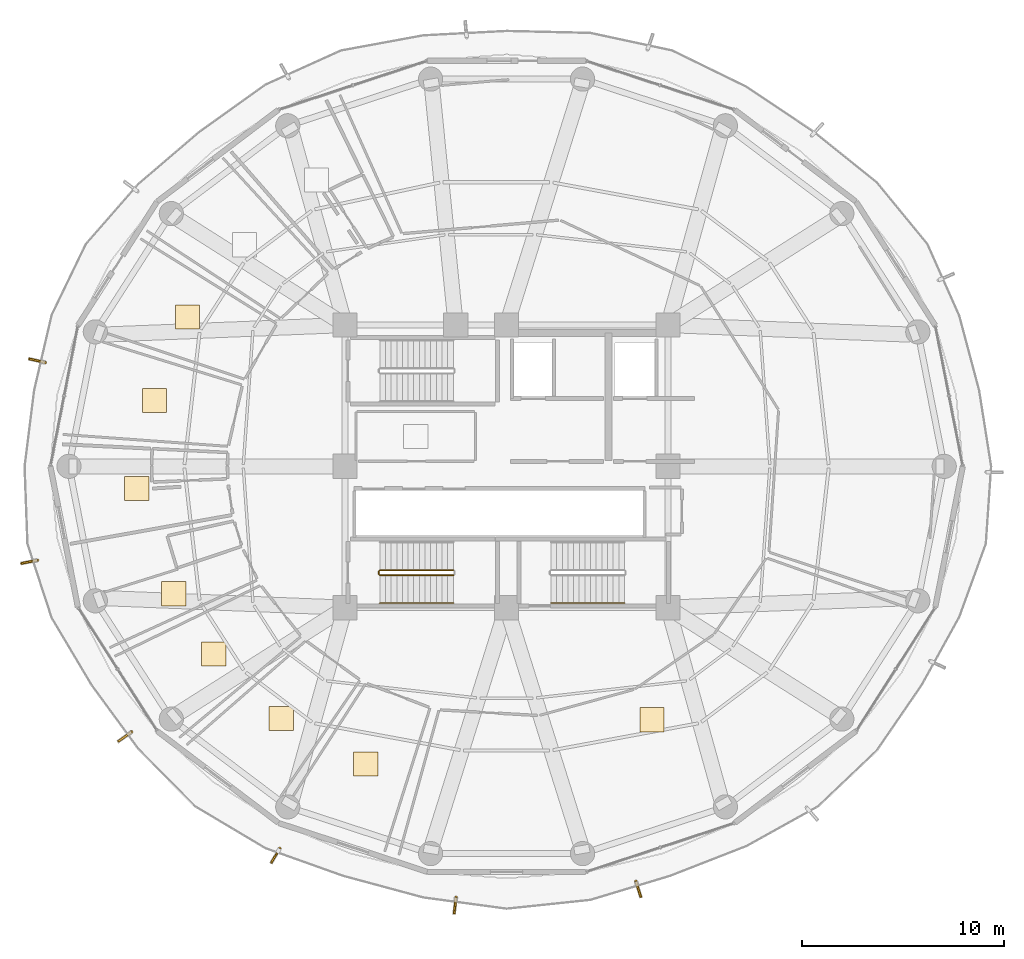
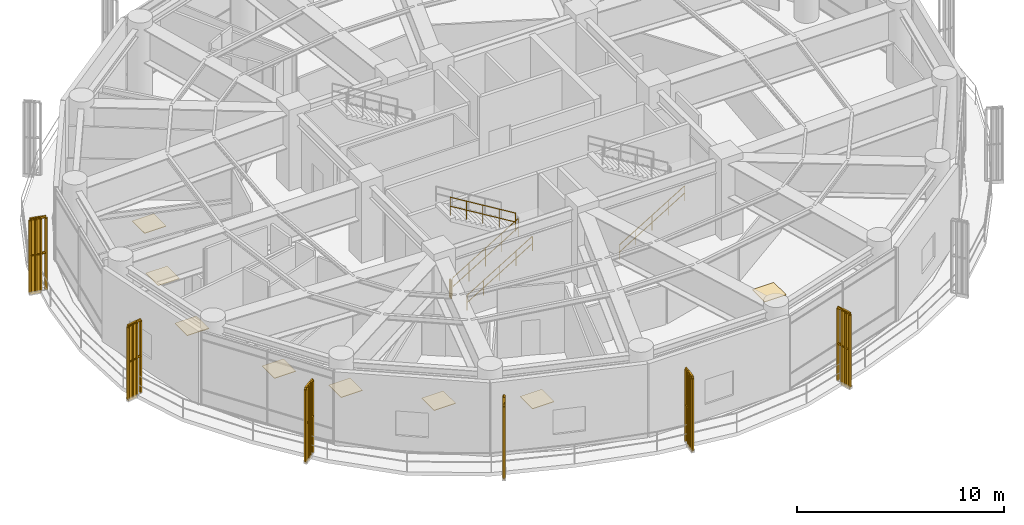
# One storey, part 25 of 28: 11 railings, 8 coverings, 6 shading devices.
"""IFC4 building model written with IfcOpenShell, lengths in metres."""

from ifc_helpers import new_model, si_unit, direction, frame, origin, origin_2d, place, context, subcontext, project, spatial, polyline, rectangle, outline, extrude, source, transform, mapped, material, layer, layer_set, type_object, element, save


model = new_model("IFC4")

# Units and contexts
model_context = context("Model", 3, precision=1e-05, world=origin(), true_north=direction((0.0, 1.0)))
body_context = subcontext(model_context, "Body", "Model", "MODEL_VIEW")
ifc_project = project(units=[si_unit("LENGTHUNIT", "METRE"), si_unit("AREAUNIT", "SQUARE_METRE"), si_unit("VOLUMEUNIT", "CUBIC_METRE"), si_unit("PLANEANGLEUNIT", "RADIAN"), si_unit("MASSUNIT", "GRAM", prefix="KILO")], contexts=[model_context])

# Site, building, storey
site_placement = place(None, origin())
site = spatial("IfcSite", under=ifc_project, at=site_placement, CompositionType="ELEMENT")
building_placement = place(site_placement, origin())
building = spatial("IfcBuilding", under=site, at=building_placement, Name="Kelanora Arch Commons", CompositionType="ELEMENT")
storey_placement = place(building_placement, frame((0.0, 0.0, 184.35009765625)))
storey = spatial("IfcBuildingStorey", under=building, at=storey_placement, Name="L47", CompositionType="ELEMENT", Elevation=184.35009765625)

# Railings
ifc_material_1 = material(Name="Anodised bronze vertical shading fin rib assembly")
railing_type_1 = type_object("IfcRailingType", Name="RAIL-FIN-BRZ", PredefinedType="BALUSTRADE", material=ifc_material_1)
railing_1_placement = place(storey_placement, frame((51.14111328125, 63.14599609375, -0.02001953125)))
element("IfcRailing", 1, at=railing_1_placement, inside=storey, type_object=railing_type_1, Name="Sweeping Bronze Vertical Fin Blade L47-08", PredefinedType="BALUSTRADE", context=body_context, shape_type="SweptSolid", body=[
    extrude(outline(polyline([(0.06982421875, 0.0), (0.034912109375, 0.060546875), (-0.034912109375, 0.060546875), (-0.06982421875, 0.0), (-0.034912109375, -0.060546875), (0.034912109375, -0.060546875), (0.06982421875, 0.0)])), frame((0.0, 0.0, 4.2900390625), z_axis=(-0.97555088813, 0.219773666913, 0.0), x_axis=(-0.219773666913, -0.97555088813, 0.0)), (0.0, 0.0, 1.0), 0.7998046875),
    extrude(outline(polyline([(0.06982421875, 0.0), (0.034912109375, 0.060546875), (-0.034912109375, 0.060546875), (-0.06982421875, 0.0), (-0.034912109375, -0.060546875), (0.034912109375, -0.060546875), (0.06982421875, 0.0)])), frame((0.0, 0.0, 2.18017578125), z_axis=(-0.97555088813, 0.219773666913, 0.0), x_axis=(-0.219773666913, -0.97555088813, 0.0)), (0.0, 0.0, 1.0), 0.7998046875),
    extrude(outline(polyline([(0.080078125, 0.0), (0.0400390625, 0.0693359375), (-0.0400390625, 0.0693359375), (-0.080078125, 0.0), (-0.0400390625, -0.0693359375), (0.0400390625, -0.0693359375), (0.080078125, 0.0)])), origin(), (0.0, 0.0, 1.0), 4.22021484375),
    extrude(outline(polyline([(0.080078125, 0.0), (0.0400390625, 0.0693359375), (-0.0400390625, 0.0693359375), (-0.080078125, 0.0), (-0.0400390625, -0.0693359375), (0.0400390625, -0.0693359375), (0.080078125, 0.0)])), frame((-0.260009765625, 0.05859375, 0.0)), (0.0, 0.0, 1.0), 4.22021484375),
    extrude(outline(polyline([(0.080078125, 0.0), (0.0400390625, 0.0693359375), (-0.0400390625, 0.0693359375), (-0.080078125, 0.0), (-0.0400390625, -0.0693359375), (0.0400390625, -0.0693359375), (0.080078125, 0.0)])), frame((-0.520263671875, 0.1171875, 0.0)), (0.0, 0.0, 1.0), 4.22021484375),
    extrude(outline(polyline([(0.080078125, 0.0), (0.0400390625, 0.0693359375), (-0.0400390625, 0.0693359375), (-0.080078125, 0.0), (-0.0400390625, -0.0693359375), (0.0400390625, -0.0693359375), (0.080078125, 0.0)])), frame((-0.7802734375, 0.17578125, 0.0)), (0.0, 0.0, 1.0), 4.22021484375),
])
railing_2_placement = place(storey_placement, frame((50.759521484375, 53.3505859375, -0.02001953125)))
element("IfcRailing", 2, at=railing_2_placement, inside=storey, type_object=railing_type_1, Name="Sweeping Bronze Vertical Fin Blade L47-09", PredefinedType="BALUSTRADE", context=body_context, shape_type="SweptSolid", body=[
    extrude(outline(polyline([(0.06982421875, 0.0), (0.034912109375, 0.060546875), (-0.034912109375, 0.060546875), (-0.06982421875, 0.0), (-0.034912109375, -0.060546875), (0.034912109375, -0.060546875), (0.06982421875, 0.0)])), frame((0.0, 0.0, 4.2900390625), z_axis=(-0.980557192949, -0.196233512314, 0.0), x_axis=(0.196233512314, -0.980557192949, 0.0)), (0.0, 0.0, 1.0), 0.800048828125),
    extrude(outline(polyline([(0.06982421875, 0.0), (0.034912109375, 0.060546875), (-0.034912109375, 0.060546875), (-0.06982421875, 0.0), (-0.034912109375, -0.060546875), (0.034912109375, -0.060546875), (0.06982421875, 0.0)])), frame((0.0, 0.0, 2.18017578125), z_axis=(-0.980557192949, -0.196233512314, 0.0), x_axis=(0.196233512314, -0.980557192949, 0.0)), (0.0, 0.0, 1.0), 0.800048828125),
    extrude(outline(polyline([(0.080078125, 0.0), (0.0400390625, 0.0693359375), (-0.0400390625, 0.0693359375), (-0.080078125, 0.0), (-0.0400390625, -0.0693359375), (0.0400390625, -0.0693359375), (0.080078125, 0.0)])), origin(), (0.0, 0.0, 1.0), 4.22021484375),
    extrude(outline(polyline([(0.080078125, 0.0), (0.0400390625, 0.0693359375), (-0.0400390625, 0.0693359375), (-0.080078125, 0.0), (-0.0400390625, -0.0693359375), (0.0400390625, -0.0693359375), (0.080078125, 0.0)])), frame((-0.261474609375, -0.05224609375, 0.0)), (0.0, 0.0, 1.0), 4.22021484375),
    extrude(outline(polyline([(0.080078125, 0.0), (0.0400390625, 0.0693359375), (-0.0400390625, 0.0693359375), (-0.080078125, 0.0), (-0.0400390625, -0.0693359375), (0.0400390625, -0.0693359375), (0.080078125, 0.0)])), frame((-0.52294921875, -0.104736328125, 0.0)), (0.0, 0.0, 1.0), 4.22021484375),
    extrude(outline(polyline([(0.080078125, 0.0), (0.0400390625, 0.0693359375), (-0.0400390625, 0.0693359375), (-0.080078125, 0.0), (-0.0400390625, -0.0693359375), (0.0400390625, -0.0693359375), (0.080078125, 0.0)])), frame((-0.784423828125, -0.156982421875, 0.0)), (0.0, 0.0, 1.0), 4.22021484375),
])
railing_3_placement = place(storey_placement, frame((55.42138671875, 44.83935546875, -0.02001953125)))
element("IfcRailing", 3, at=railing_3_placement, inside=storey, type_object=railing_type_1, Name="Sweeping Bronze Vertical Fin Blade L47-10", PredefinedType="BALUSTRADE", context=body_context, shape_type="SweptSolid", body=[
    extrude(outline(polyline([(0.06982421875, 0.0), (0.034912109375, 0.060546875), (-0.034912109375, 0.060546875), (-0.06982421875, 0.0), (-0.034912109375, -0.060546875), (0.034912109375, -0.060546875), (0.06982421875, 0.0)])), frame((0.0, 0.0, 4.2900390625), z_axis=(-0.815934484082, -0.57814437443, 0.0), x_axis=(0.57814437443, -0.815934484082, 0.0)), (0.0, 0.0, 1.0), 0.7998046875),
    extrude(outline(polyline([(0.06982421875, 0.0), (0.034912109375, 0.060546875), (-0.034912109375, 0.060546875), (-0.06982421875, 0.0), (-0.034912109375, -0.060546875), (0.034912109375, -0.060546875), (0.06982421875, 0.0)])), frame((0.0, 0.0, 2.18017578125), z_axis=(-0.815934484082, -0.57814437443, 0.0), x_axis=(0.57814437443, -0.815934484082, 0.0)), (0.0, 0.0, 1.0), 0.7998046875),
    extrude(outline(polyline([(0.080078125, 0.0), (0.0400390625, 0.0693359375), (-0.0400390625, 0.0693359375), (-0.080078125, 0.0), (-0.0400390625, -0.0693359375), (0.0400390625, -0.0693359375), (0.080078125, 0.0)])), origin(), (0.0, 0.0, 1.0), 4.22021484375),
    extrude(outline(polyline([(0.080078125, 0.0), (0.0400390625, 0.0693359375), (-0.0400390625, 0.0693359375), (-0.080078125, 0.0), (-0.0400390625, -0.0693359375), (0.0400390625, -0.0693359375), (0.080078125, 0.0)])), frame((-0.217529296875, -0.154052734375, 0.0)), (0.0, 0.0, 1.0), 4.22021484375),
    extrude(outline(polyline([(0.080078125, 0.0), (0.0400390625, 0.0693359375), (-0.0400390625, 0.0693359375), (-0.080078125, 0.0), (-0.0400390625, -0.0693359375), (0.0400390625, -0.0693359375), (0.080078125, 0.0)])), frame((-0.43505859375, -0.308349609375, 0.0)), (0.0, 0.0, 1.0), 4.22021484375),
    extrude(outline(polyline([(0.080078125, 0.0), (0.0400390625, 0.0693359375), (-0.0400390625, 0.0693359375), (-0.080078125, 0.0), (-0.0400390625, -0.0693359375), (0.0400390625, -0.0693359375), (0.080078125, 0.0)])), frame((-0.652587890625, -0.46240234375, 0.0)), (0.0, 0.0, 1.0), 4.22021484375),
])
railing_4_placement = place(storey_placement, frame((62.76318359375, 39.0654296875, -0.02001953125)))
element("IfcRailing", 4, at=railing_4_placement, inside=storey, type_object=railing_type_1, Name="Sweeping Bronze Vertical Fin Blade L47-11", PredefinedType="BALUSTRADE", context=body_context, shape_type="SweptSolid", body=[
    extrude(outline(polyline([(0.06982421875, 0.0), (0.034912109375, 0.060546875), (-0.034912109375, 0.060546875), (-0.06982421875, 0.0), (-0.034912109375, -0.060546875), (0.034912109375, -0.060546875), (0.06982421875, 0.0)])), frame((0.0, 0.0, 4.2900390625), z_axis=(-0.51027078278, -0.860013795379, 0.0), x_axis=(0.860013795379, -0.51027078278, 0.0)), (0.0, 0.0, 1.0), 0.800048828125),
    extrude(outline(polyline([(0.06982421875, 0.0), (0.034912109375, 0.060546875), (-0.034912109375, 0.060546875), (-0.06982421875, 0.0), (-0.034912109375, -0.060546875), (0.034912109375, -0.060546875), (0.06982421875, 0.0)])), frame((0.0, 0.0, 2.18017578125), z_axis=(-0.51027078278, -0.860013795379, 0.0), x_axis=(0.860013795379, -0.51027078278, 0.0)), (0.0, 0.0, 1.0), 0.800048828125),
    extrude(outline(polyline([(0.080078125, 0.0), (0.0400390625, 0.0693359375), (-0.0400390625, 0.0693359375), (-0.080078125, 0.0), (-0.0400390625, -0.0693359375), (0.0400390625, -0.0693359375), (0.080078125, 0.0)])), origin(), (0.0, 0.0, 1.0), 4.22021484375),
    extrude(outline(polyline([(0.080078125, 0.0), (0.0400390625, 0.0693359375), (-0.0400390625, 0.0693359375), (-0.080078125, 0.0), (-0.0400390625, -0.0693359375), (0.0400390625, -0.0693359375), (0.080078125, 0.0)])), frame((-0.135986328125, -0.229248046875, 0.0)), (0.0, 0.0, 1.0), 4.22021484375),
    extrude(outline(polyline([(0.080078125, 0.0), (0.0400390625, 0.0693359375), (-0.0400390625, 0.0693359375), (-0.080078125, 0.0), (-0.0400390625, -0.0693359375), (0.0400390625, -0.0693359375), (0.080078125, 0.0)])), frame((-0.272216796875, -0.458740234375, 0.0)), (0.0, 0.0, 1.0), 4.22021484375),
    extrude(outline(polyline([(0.080078125, 0.0), (0.0400390625, 0.0693359375), (-0.0400390625, 0.0693359375), (-0.080078125, 0.0), (-0.0400390625, -0.0693359375), (0.0400390625, -0.0693359375), (0.080078125, 0.0)])), frame((-0.408203125, -0.68798828125, 0.0)), (0.0, 0.0, 1.0), 4.22021484375),
])
railing_5_placement = place(storey_placement, frame((71.496826171875, 36.650634765625, -0.02001953125)))
element("IfcRailing", 5, at=railing_5_placement, inside=storey, type_object=railing_type_1, Name="Sweeping Bronze Vertical Fin Blade L47-12", PredefinedType="BALUSTRADE", context=body_context, shape_type="SweptSolid", body=[
    extrude(outline(polyline([(0.06982421875, 0.0), (0.034912109375, 0.060546875), (-0.034912109375, 0.060546875), (-0.06982421875, 0.0), (-0.034912109375, -0.060546875), (0.034912109375, -0.060546875), (0.06982421875, 0.0)])), frame((0.0, 0.0, 4.2900390625), z_axis=(-0.11629223428, -0.993215040284, 0.0), x_axis=(0.993215040284, -0.11629223428, 0.0)), (0.0, 0.0, 1.0), 0.7998046875),
    extrude(outline(polyline([(0.06982421875, 0.0), (0.034912109375, 0.060546875), (-0.034912109375, 0.060546875), (-0.06982421875, 0.0), (-0.034912109375, -0.060546875), (0.034912109375, -0.060546875), (0.06982421875, 0.0)])), frame((0.0, 0.0, 2.18017578125), z_axis=(-0.11629223428, -0.993215040284, 0.0), x_axis=(0.993215040284, -0.11629223428, 0.0)), (0.0, 0.0, 1.0), 0.7998046875),
    extrude(outline(polyline([(0.080078125, 0.0), (0.0400390625, 0.0693359375), (-0.0400390625, 0.0693359375), (-0.080078125, 0.0), (-0.0400390625, -0.0693359375), (0.0400390625, -0.0693359375), (0.080078125, 0.0)])), origin(), (0.0, 0.0, 1.0), 4.22021484375),
    extrude(outline(polyline([(0.080078125, 0.0), (0.0400390625, 0.0693359375), (-0.0400390625, 0.0693359375), (-0.080078125, 0.0), (-0.0400390625, -0.0693359375), (0.0400390625, -0.0693359375), (0.080078125, 0.0)])), frame((-0.031005859375, -0.264892578125, 0.0)), (0.0, 0.0, 1.0), 4.22021484375),
    extrude(outline(polyline([(0.080078125, 0.0), (0.0400390625, 0.0693359375), (-0.0400390625, 0.0693359375), (-0.080078125, 0.0), (-0.0400390625, -0.0693359375), (0.0400390625, -0.0693359375), (0.080078125, 0.0)])), frame((-0.06201171875, -0.529541015625, 0.0)), (0.0, 0.0, 1.0), 4.22021484375),
    extrude(outline(polyline([(0.080078125, 0.0), (0.0400390625, 0.0693359375), (-0.0400390625, 0.0693359375), (-0.080078125, 0.0), (-0.0400390625, -0.0693359375), (0.0400390625, -0.0693359375), (0.080078125, 0.0)])), frame((-0.093017578125, -0.79443359375, 0.0)), (0.0, 0.0, 1.0), 4.22021484375),
])
railing_6_placement = place(storey_placement, frame((80.4091796875, 37.439208984375, -0.02001953125)))
element("IfcRailing", 6, at=railing_6_placement, inside=storey, type_object=railing_type_1, Name="Sweeping Bronze Vertical Fin Blade L47-13", PredefinedType="BALUSTRADE", context=body_context, shape_type="SweptSolid", body=[
    extrude(outline(polyline([(0.06982421875, 0.0), (0.034912109375, 0.060546875), (-0.034912109375, 0.060546875), (-0.06982421875, 0.0), (-0.034912109375, -0.060546875), (0.034912109375, -0.060546875), (0.06982421875, 0.0)])), frame((0.0, 0.0, 4.2900390625), z_axis=(0.297493088084, -0.954723971911, 0.0), x_axis=(0.954723971911, 0.297493088084, 0.0)), (0.0, 0.0, 1.0), 0.800048828125),
    extrude(outline(polyline([(0.06982421875, 0.0), (0.034912109375, 0.060546875), (-0.034912109375, 0.060546875), (-0.06982421875, 0.0), (-0.034912109375, -0.060546875), (0.034912109375, -0.060546875), (0.06982421875, 0.0)])), frame((0.0, 0.0, 2.18017578125), z_axis=(0.297493088084, -0.954723971911, 0.0), x_axis=(0.954723971911, 0.297493088084, 0.0)), (0.0, 0.0, 1.0), 0.800048828125),
    extrude(outline(polyline([(0.080078125, 0.0), (0.0400390625, 0.0693359375), (-0.0400390625, 0.0693359375), (-0.080078125, 0.0), (-0.0400390625, -0.0693359375), (0.0400390625, -0.0693359375), (0.080078125, 0.0)])), origin(), (0.0, 0.0, 1.0), 4.22021484375),
    extrude(outline(polyline([(0.080078125, 0.0), (0.0400390625, 0.0693359375), (-0.0400390625, 0.0693359375), (-0.080078125, 0.0), (-0.0400390625, -0.0693359375), (0.0400390625, -0.0693359375), (0.080078125, 0.0)])), frame((0.079345703125, -0.254638671875, 0.0)), (0.0, 0.0, 1.0), 4.22021484375),
    extrude(outline(polyline([(0.080078125, 0.0), (0.0400390625, 0.0693359375), (-0.0400390625, 0.0693359375), (-0.080078125, 0.0), (-0.0400390625, -0.0693359375), (0.0400390625, -0.0693359375), (0.080078125, 0.0)])), frame((0.15869140625, -0.50927734375, 0.0)), (0.0, 0.0, 1.0), 4.22021484375),
    extrude(outline(polyline([(0.080078125, 0.0), (0.0400390625, 0.0693359375), (-0.0400390625, 0.0693359375), (-0.080078125, 0.0), (-0.0400390625, -0.0693359375), (0.0400390625, -0.0693359375), (0.080078125, 0.0)])), frame((0.238037109375, -0.763916015625, 0.0)), (0.0, 0.0, 1.0), 4.22021484375),
])
ifc_material_2 = material(Name="Painted steel stair well guard", Category="steel")
railing_type_2 = type_object("IfcRailingType", Name="RAIL-STAIR-GRD", PredefinedType="GUARDRAIL", material=ifc_material_2)
railing_7_placement = place(storey_placement, frame((67.719970703125, 52.610107421875, 0.169921875)))
element("IfcRailing", 7, at=railing_7_placement, inside=storey, type_object=railing_type_2, Name="L47 ST-T3 stair guard 1", PredefinedType="GUARDRAIL", context=body_context, shape_type="SweptSolid", body=[
    extrude(outline(polyline([(0.02392578125, 0.0), (0.011962890625, 0.020751953125), (-0.011962890625, 0.020751953125), (-0.02392578125, 0.0), (-0.011962890625, -0.020751953125), (0.011962890625, -0.020751953125), (0.02392578125, 0.0)])), frame((0.0, 0.0, 1.076171875), z_axis=(0.854800231366, 0.0, 0.518957189425), x_axis=(0.0, 1.0, 0.0)), (0.0, 0.0, 1.0), 4.258544921875),
    extrude(outline(polyline([(0.02392578125, 0.0), (0.011962890625, 0.020751953125), (-0.011962890625, 0.020751953125), (-0.02392578125, 0.0), (-0.011962890625, -0.020751953125), (0.011962890625, -0.020751953125), (0.02392578125, 0.0)])), frame((0.0, 0.0, 0.550048828125), z_axis=(0.854800231366, 0.0, 0.518957189425), x_axis=(0.0, 1.0, 0.0)), (0.0, 0.0, 1.0), 4.258544921875),
    extrude(outline(polyline([(0.02099609375, 0.0), (0.010498046875, 0.01806640625), (-0.010498046875, 0.01806640625), (-0.02099609375, 0.0), (-0.010498046875, -0.01806640625), (0.010498046875, -0.01806640625), (0.02099609375, 0.0)])), origin(), (0.0, 0.0, 1.0), 1.052001953125),
    extrude(outline(polyline([(0.02099609375, 0.0), (0.010498046875, 0.01806640625), (-0.010498046875, 0.01806640625), (-0.02099609375, 0.0), (-0.010498046875, -0.01806640625), (0.010498046875, -0.01806640625), (0.02099609375, 0.0)])), frame((0.91015625, 0.0, 0.552490234375)), (0.0, 0.0, 1.0), 1.052001953125),
    extrude(outline(polyline([(0.02099609375, 0.0), (0.010498046875, 0.01806640625), (-0.010498046875, 0.01806640625), (-0.02099609375, 0.0), (-0.010498046875, -0.01806640625), (0.010498046875, -0.01806640625), (0.02099609375, 0.0)])), frame((1.820068359375, 0.0, 1.10498046875)), (0.0, 0.0, 1.0), 1.052001953125),
    extrude(outline(polyline([(0.02099609375, 0.0), (0.010498046875, 0.01806640625), (-0.010498046875, 0.01806640625), (-0.02099609375, 0.0), (-0.010498046875, -0.01806640625), (0.010498046875, -0.01806640625), (0.02099609375, 0.0)])), frame((2.72998046875, 0.0, 1.657470703125)), (0.0, 0.0, 1.0), 1.052001953125),
    extrude(outline(polyline([(0.02099609375, 0.0), (0.010498046875, 0.01806640625), (-0.010498046875, 0.01806640625), (-0.02099609375, 0.0), (-0.010498046875, -0.01806640625), (0.010498046875, -0.01806640625), (0.02099609375, 0.0)])), frame((3.64013671875, 0.0, 2.2099609375)), (0.0, 0.0, 1.0), 1.052001953125),
])
railing_8_placement = place(storey_placement, frame((71.360107421875, 52.860107421875, 2.5498046875)))
element("IfcRailing", 8, at=railing_8_placement, inside=storey, type_object=railing_type_2, Name="L47 ST-T3 stair guard 3", PredefinedType="GUARDRAIL", context=body_context, shape_type="SweptSolid", body=[
    extrude(outline(polyline([(0.02392578125, 0.0), (0.011962890625, 0.020751953125), (-0.011962890625, 0.020751953125), (-0.02392578125, 0.0), (-0.011962890625, -0.020751953125), (0.011962890625, -0.020751953125), (0.02392578125, 0.0)])), frame((0.0, 0.0, 1.076171875), z_axis=(-0.854774798942, 0.0, 0.518999078124), x_axis=(0.0, -1.0, 0.0)), (0.0, 0.0, 1.0), 4.258544921875),
    extrude(outline(polyline([(0.02392578125, 0.0), (0.011962890625, 0.020751953125), (-0.011962890625, 0.020751953125), (-0.02392578125, 0.0), (-0.011962890625, -0.020751953125), (0.011962890625, -0.020751953125), (0.02392578125, 0.0)])), frame((0.0, 0.0, 0.550048828125), z_axis=(-0.854774798942, 0.0, 0.518999078124), x_axis=(0.0, -1.0, 0.0)), (0.0, 0.0, 1.0), 4.258544921875),
    extrude(outline(polyline([(0.02099609375, 0.0), (0.010498046875, 0.01806640625), (-0.010498046875, 0.01806640625), (-0.02099609375, 0.0), (-0.010498046875, -0.01806640625), (0.010498046875, -0.01806640625), (0.02099609375, 0.0)])), origin(), (0.0, 0.0, 1.0), 1.052001953125),
    extrude(outline(polyline([(0.02099609375, 0.0), (0.010498046875, 0.01806640625), (-0.010498046875, 0.01806640625), (-0.02099609375, 0.0), (-0.010498046875, -0.01806640625), (0.010498046875, -0.01806640625), (0.02099609375, 0.0)])), frame((-0.91015625, 0.0, 0.552490234375)), (0.0, 0.0, 1.0), 1.052001953125),
    extrude(outline(polyline([(0.02099609375, 0.0), (0.010498046875, 0.01806640625), (-0.010498046875, 0.01806640625), (-0.02099609375, 0.0), (-0.010498046875, -0.01806640625), (0.010498046875, -0.01806640625), (0.02099609375, 0.0)])), frame((-1.820068359375, 0.0, 1.10498046875)), (0.0, 0.0, 1.0), 1.052001953125),
    extrude(outline(polyline([(0.02099609375, 0.0), (0.010498046875, 0.01806640625), (-0.010498046875, 0.01806640625), (-0.02099609375, 0.0), (-0.010498046875, -0.01806640625), (0.010498046875, -0.01806640625), (0.02099609375, 0.0)])), frame((-2.72998046875, 0.0, 1.65771484375)), (0.0, 0.0, 1.0), 1.052001953125),
    extrude(outline(polyline([(0.02099609375, 0.0), (0.010498046875, 0.01806640625), (-0.010498046875, 0.01806640625), (-0.02099609375, 0.0), (-0.010498046875, -0.01806640625), (0.010498046875, -0.01806640625), (0.02099609375, 0.0)])), frame((-3.64013671875, 0.0, 2.210205078125)), (0.0, 0.0, 1.0), 1.052001953125),
])
railing_9_placement = place(storey_placement, frame((67.669921875, 52.659912109375, 0.0)))
element("IfcRailing", 9, at=railing_9_placement, inside=storey, type_object=railing_type_2, Name="L47 ST-T3 stair guard 4", PredefinedType="GUARDRAIL", context=body_context, shape_type="SweptSolid", body=[
    extrude(outline(polyline([(0.02392578125, 0.0), (0.011962890625, 0.020751953125), (-0.011962890625, 0.020751953125), (-0.02392578125, 0.0), (-0.011962890625, -0.020751953125), (0.011962890625, -0.020751953125), (0.02392578125, 0.0)])), frame((0.0, 0.0, 1.076171875), z_axis=(0.0, 1.0, 0.0), x_axis=(-1.0, 0.0, 0.0)), (0.0, 0.0, 1.0), 0.150146484375),
    extrude(outline(polyline([(0.02392578125, 0.0), (0.011962890625, 0.020751953125), (-0.011962890625, 0.020751953125), (-0.02392578125, 0.0), (-0.011962890625, -0.020751953125), (0.011962890625, -0.020751953125), (0.02392578125, 0.0)])), frame((0.0, 0.0, 0.550048828125), z_axis=(0.0, 1.0, 0.0), x_axis=(-1.0, 0.0, 0.0)), (0.0, 0.0, 1.0), 0.150146484375),
    extrude(outline(polyline([(0.02099609375, 0.0), (0.010498046875, 0.01806640625), (-0.010498046875, 0.01806640625), (-0.02099609375, 0.0), (-0.010498046875, -0.01806640625), (0.010498046875, -0.01806640625), (0.02099609375, 0.0)])), origin(), (0.0, 0.0, 1.0), 1.052001953125),
    extrude(outline(polyline([(0.02099609375, 0.0), (0.010498046875, 0.01806640625), (-0.010498046875, 0.01806640625), (-0.02099609375, 0.0), (-0.010498046875, -0.01806640625), (0.010498046875, -0.01806640625), (0.02099609375, 0.0)])), frame((0.0, 0.150146484375, 0.0)), (0.0, 0.0, 1.0), 1.052001953125),
])
ifc_material_3 = material(Name="Brushed stainless steel stair handrail", Category="steel")
railing_type_3 = type_object("IfcRailingType", Name="RAIL-STAIR-HND", PredefinedType="HANDRAIL", material=ifc_material_3)
railing_10_placement = place(storey_placement, frame((76.199951171875, 51.22998046875, 0.169921875)))
element("IfcRailing", 10, at=railing_10_placement, inside=storey, type_object=railing_type_3, Name="L47 ST-T2 stair handrail 1", PredefinedType="HANDRAIL", context=body_context, shape_type="SweptSolid", body=[
    extrude(outline(polyline([(0.02392578125, 0.0), (0.011962890625, 0.020751953125), (-0.011962890625, 0.020751953125), (-0.02392578125, 0.0), (-0.011962890625, -0.020751953125), (0.011962890625, -0.020751953125), (0.02392578125, 0.0)])), frame((0.0, 0.0, 0.8759765625), z_axis=(0.854800231366, 0.0, 0.518957189425), x_axis=(0.0, 1.0, 0.0)), (0.0, 0.0, 1.0), 4.258544921875),
    extrude(outline(polyline([(0.02392578125, 0.0), (0.011962890625, 0.020751953125), (-0.011962890625, 0.020751953125), (-0.02392578125, 0.0), (-0.011962890625, -0.020751953125), (0.011962890625, -0.020751953125), (0.02392578125, 0.0)])), frame((0.0, 0.0, 0.449951171875), z_axis=(0.854800231366, 0.0, 0.518957189425), x_axis=(0.0, 1.0, 0.0)), (0.0, 0.0, 1.0), 4.258544921875),
    extrude(outline(polyline([(0.02099609375, 0.0), (0.010498046875, 0.01806640625), (-0.010498046875, 0.01806640625), (-0.02099609375, 0.0), (-0.010498046875, -0.01806640625), (0.010498046875, -0.01806640625), (0.02099609375, 0.0)])), origin(), (0.0, 0.0, 1.0), 0.851806640625),
    extrude(outline(polyline([(0.02099609375, 0.0), (0.010498046875, 0.01806640625), (-0.010498046875, 0.01806640625), (-0.02099609375, 0.0), (-0.010498046875, -0.01806640625), (0.010498046875, -0.01806640625), (0.02099609375, 0.0)])), frame((0.91015625, 0.0, 0.552490234375)), (0.0, 0.0, 1.0), 0.851806640625),
    extrude(outline(polyline([(0.02099609375, 0.0), (0.010498046875, 0.01806640625), (-0.010498046875, 0.01806640625), (-0.02099609375, 0.0), (-0.010498046875, -0.01806640625), (0.010498046875, -0.01806640625), (0.02099609375, 0.0)])), frame((1.820068359375, 0.0, 1.10498046875)), (0.0, 0.0, 1.0), 0.851806640625),
    extrude(outline(polyline([(0.02099609375, 0.0), (0.010498046875, 0.01806640625), (-0.010498046875, 0.01806640625), (-0.02099609375, 0.0), (-0.010498046875, -0.01806640625), (0.010498046875, -0.01806640625), (0.02099609375, 0.0)])), frame((2.72998046875, 0.0, 1.657470703125)), (0.0, 0.0, 1.0), 0.851806640625),
    extrude(outline(polyline([(0.02099609375, 0.0), (0.010498046875, 0.01806640625), (-0.010498046875, 0.01806640625), (-0.02099609375, 0.0), (-0.010498046875, -0.01806640625), (0.010498046875, -0.01806640625), (0.02099609375, 0.0)])), frame((3.64013671875, 0.0, 2.2099609375)), (0.0, 0.0, 1.0), 0.851806640625),
])
railing_11_placement = place(storey_placement, frame((67.719970703125, 51.22998046875, 0.169921875)))
element("IfcRailing", 11, at=railing_11_placement, inside=storey, type_object=railing_type_3, Name="L47 ST-T3 stair handrail 1", PredefinedType="HANDRAIL", context=body_context, shape_type="SweptSolid", body=[
    extrude(outline(polyline([(0.02392578125, 0.0), (0.011962890625, 0.020751953125), (-0.011962890625, 0.020751953125), (-0.02392578125, 0.0), (-0.011962890625, -0.020751953125), (0.011962890625, -0.020751953125), (0.02392578125, 0.0)])), frame((0.0, 0.0, 0.8759765625), z_axis=(0.854800231366, 0.0, 0.518957189425), x_axis=(0.0, 1.0, 0.0)), (0.0, 0.0, 1.0), 4.258544921875),
    extrude(outline(polyline([(0.02392578125, 0.0), (0.011962890625, 0.020751953125), (-0.011962890625, 0.020751953125), (-0.02392578125, 0.0), (-0.011962890625, -0.020751953125), (0.011962890625, -0.020751953125), (0.02392578125, 0.0)])), frame((0.0, 0.0, 0.449951171875), z_axis=(0.854800231366, 0.0, 0.518957189425), x_axis=(0.0, 1.0, 0.0)), (0.0, 0.0, 1.0), 4.258544921875),
    extrude(outline(polyline([(0.02099609375, 0.0), (0.010498046875, 0.01806640625), (-0.010498046875, 0.01806640625), (-0.02099609375, 0.0), (-0.010498046875, -0.01806640625), (0.010498046875, -0.01806640625), (0.02099609375, 0.0)])), origin(), (0.0, 0.0, 1.0), 0.851806640625),
    extrude(outline(polyline([(0.02099609375, 0.0), (0.010498046875, 0.01806640625), (-0.010498046875, 0.01806640625), (-0.02099609375, 0.0), (-0.010498046875, -0.01806640625), (0.010498046875, -0.01806640625), (0.02099609375, 0.0)])), frame((0.91015625, 0.0, 0.552490234375)), (0.0, 0.0, 1.0), 0.851806640625),
    extrude(outline(polyline([(0.02099609375, 0.0), (0.010498046875, 0.01806640625), (-0.010498046875, 0.01806640625), (-0.02099609375, 0.0), (-0.010498046875, -0.01806640625), (0.010498046875, -0.01806640625), (0.02099609375, 0.0)])), frame((1.820068359375, 0.0, 1.10498046875)), (0.0, 0.0, 1.0), 0.851806640625),
    extrude(outline(polyline([(0.02099609375, 0.0), (0.010498046875, 0.01806640625), (-0.010498046875, 0.01806640625), (-0.02099609375, 0.0), (-0.010498046875, -0.01806640625), (0.010498046875, -0.01806640625), (0.02099609375, 0.0)])), frame((2.72998046875, 0.0, 1.657470703125)), (0.0, 0.0, 1.0), 0.851806640625),
    extrude(outline(polyline([(0.02099609375, 0.0), (0.010498046875, 0.01806640625), (-0.010498046875, 0.01806640625), (-0.02099609375, 0.0), (-0.010498046875, -0.01806640625), (0.010498046875, -0.01806640625), (0.02099609375, 0.0)])), frame((3.64013671875, 0.0, 2.2099609375)), (0.0, 0.0, 1.0), 0.851806640625),
])

# Shading devices
ifc_material_4 = material(Name="Terracotta ceramic-clad extruded aluminium fin", Category="masonry")
shading_device_type = type_object("IfcShadingDeviceType", Name="SHD-FIN-WAIST", PredefinedType="USERDEFINED", material=ifc_material_4)
shared_shape_1 = source(origin(), body_context, "Body", "SweptSolid", [
    extrude(rectangle(XDim=0.56005859375, YDim=0.090087890625, at=origin_2d()), origin(), (0.0, 0.0, 1.0), 4.47998046875),
])
for number, where, z_axis, x_axis, name in (
    (12, (50.614501953125, 63.2646484375, -0.14013671875), (0.0, 0.0, 1.0), (-0.975572899489, 0.219675938108, 0.0), "Sweeping Terracotta Fin L47-08"),
    (13, (50.22998046875, 53.24462890625, -0.14013671875), (0.0, 0.0, 1.0), (-0.980580444557, -0.196117290802, 0.0), "Sweeping Terracotta Fin L47-09"),
    (14, (54.980712890625, 44.527099609375, -0.14013671875), (0.0, 0.0, 1.0), (-0.816036722469, -0.578000058462, 0.0), "Sweeping Terracotta Fin L47-10"),
    (15, (62.48779296875, 38.60107421875, -0.14013671875), (0.0, 0.0, 1.0), (-0.510392837604, -0.859941365049, 0.0), "Sweeping Terracotta Fin L47-11"),
    (16, (71.43408203125, 36.114501953125, -0.14013671875), (0.0, 0.0, 1.0), (-0.116497394345, -0.993190997297, 0.0), "Sweeping Terracotta Fin L47-12"),
    (17, (80.56982421875, 36.923583984375, -0.14013671875), (0.0, 0.0, 1.0), (0.297541506743, -0.954708883255, 0.0), "Sweeping Terracotta Fin L47-13"),
):
    element("IfcShadingDevice", number, at=place(storey_placement, frame(where, z_axis=z_axis, x_axis=x_axis)), inside=storey, type_object=shading_device_type, Name=name, ObjectType="FIN", PredefinedType="USERDEFINED", context=body_context, shape_type="MappedRepresentation", body=[
        mapped(shared_shape_1, transform((0.0, 0.0, 0.0), scale=1.0)),
    ])

# Coverings
ifc_material_5 = material(Name="Polished local granite terrazzo flooring", Category="masonry")
ifc_layer = layer(ifc_material_5, 0.030029296875)
ifc_layer_set = layer_set([ifc_layer], Name="Polished local granite terrazzo flooring")
covering_type = type_object("IfcCoveringType", Name="COV-FLR-TER", PredefinedType="FLOORING", material=ifc_layer_set)
shared_shape_2 = source(origin(), body_context, "Body", "SweptSolid", [
    extrude(rectangle(XDim=1.199951171875, YDim=1.199951171875, at=origin_2d()), origin(), (0.0, 0.0, 1.0), 0.030029296875),
])
for number, where, z_axis, x_axis, name in (
    (18, (81.2041015625, 45.441650390625, 0.0), (0.0, 0.0, 1.0), (1.0, 0.0, 0.0), "South-East Social Sky Lounge L47 Terrazzo Finish"),
    (19, (58.193115234375, 65.392822265625, 0.0), (0.0, 0.0, 1.0), (1.0, 0.0, 0.0), "Shared Cluster Kitchen L47-03 Terrazzo Finish"),
    (20, (56.5576171875, 61.259521484375, 0.0), (0.0, 0.0, 1.0), (1.0, 0.0, 0.0), "Social Sky Lounge L47-04 Terrazzo Finish"),
    (21, (55.674560546875, 56.908935546875, 0.0), (0.0, 0.0, 1.0), (1.0, 0.0, 0.0), "Co-Living Studio L47-05 Terrazzo Finish"),
    (22, (57.51416015625, 51.692626953125, 0.0), (0.0, 0.0, 1.0), (1.0, 0.0, 0.0), "Tutorial Study Alcove L47-06 Terrazzo Finish"),
    (23, (59.49072265625, 48.699462890625, 0.0), (0.0, 0.0, 1.0), (1.0, 0.0, 0.0), "Quiet Seminar Study Room L47-07 Terrazzo Finish"),
    (24, (62.8369140625, 45.50830078125, 0.0), (0.0, 0.0, 1.0), (1.0, 0.0, 0.0), "Shared Cluster Kitchen L47-08 Terrazzo Finish"),
    (25, (67.02001953125, 43.2529296875, 0.0), (0.0, 0.0, 1.0), (1.0, 0.0, 0.0), "Social Sky Lounge L47-09 Terrazzo Finish"),
):
    element("IfcCovering", number, at=place(storey_placement, frame(where, z_axis=z_axis, x_axis=x_axis)), inside=storey, type_object=covering_type, Name=name, PredefinedType="FLOORING", context=body_context, shape_type="MappedRepresentation", body=[
        mapped(shared_shape_2, transform((0.0, 0.0, 0.0), scale=1.0)),
    ])

save(model, "model.ifc")
